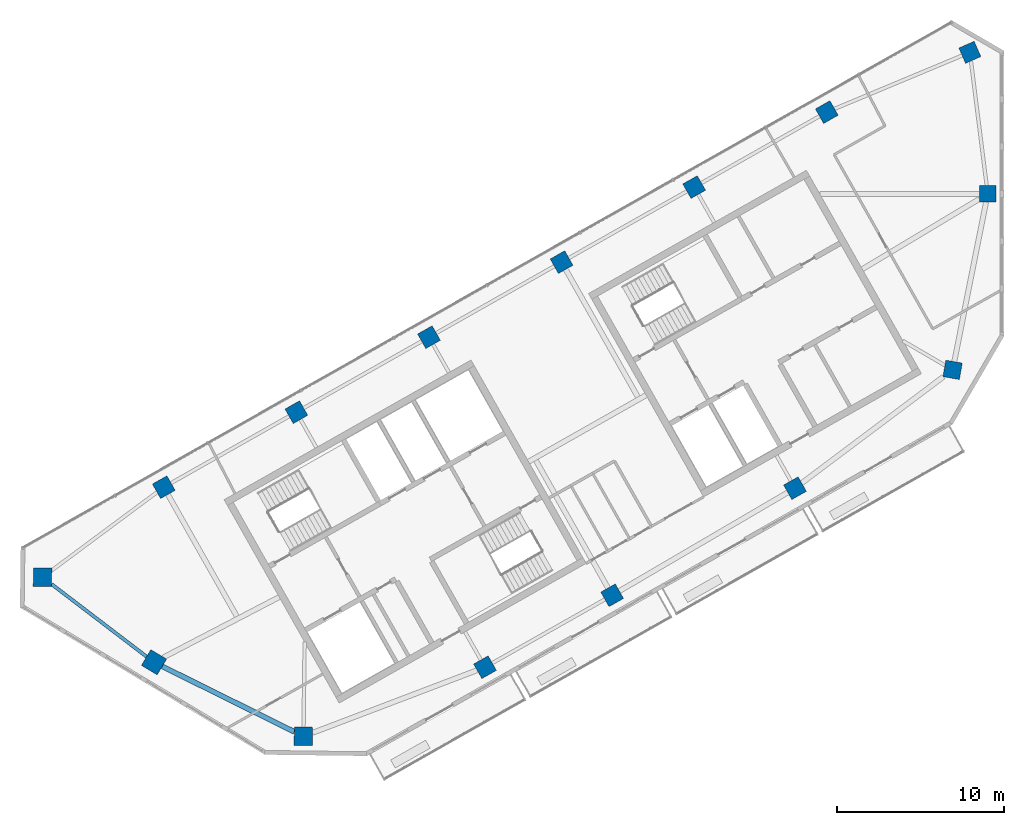
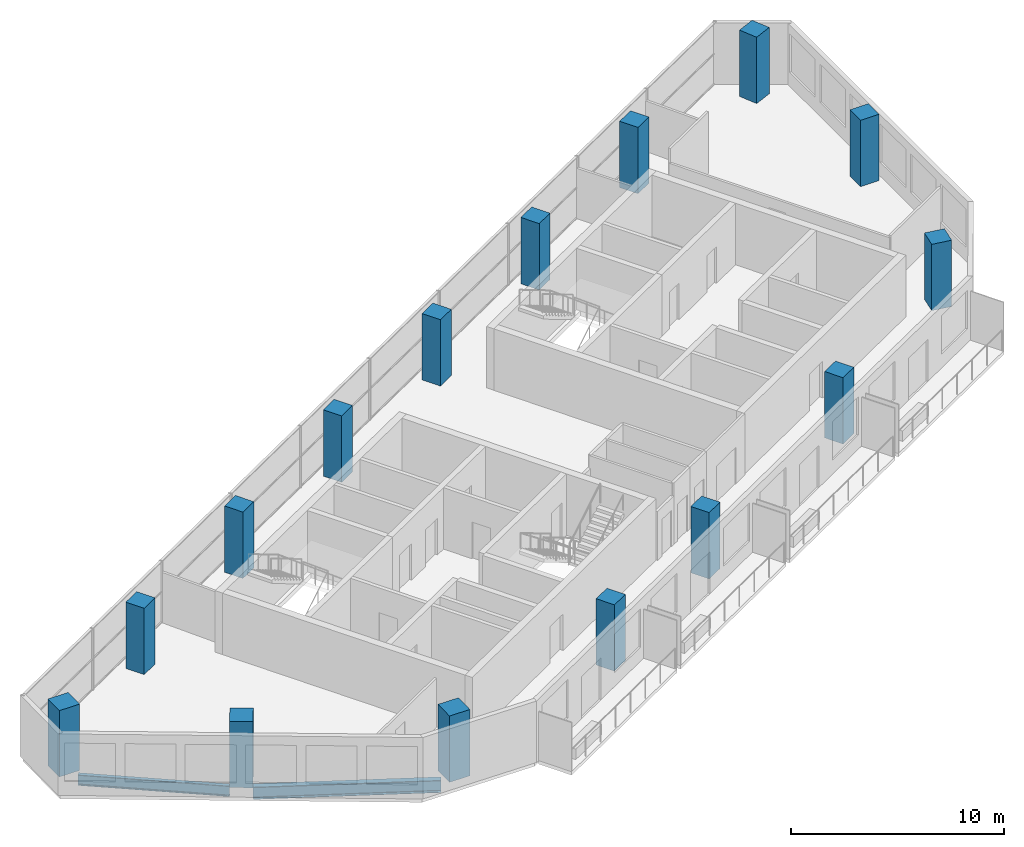
# One storey, part 1 of 10: 15 columns, 2 beams.
"""IFC4 building model written with IfcOpenShell, lengths in metres."""

from ifc_helpers import new_model, si_unit, direction, frame, origin, origin_2d, place, context, subcontext, project, spatial, rectangle, i_section, extrude, material, material_profile, profile_set, type_object, element, save


model = new_model("IFC4")

# Units and contexts
model_context = context("Model", 3, precision=1e-05, world=origin(), true_north=direction((0.0, 1.0)))
body_context = subcontext(model_context, "Body", "Model", "MODEL_VIEW")
ifc_project = project(units=[si_unit("LENGTHUNIT", "METRE"), si_unit("AREAUNIT", "SQUARE_METRE"), si_unit("VOLUMEUNIT", "CUBIC_METRE"), si_unit("PLANEANGLEUNIT", "RADIAN"), si_unit("MASSUNIT", "GRAM", prefix="KILO")], contexts=[model_context])

# Site, building, storey
site_placement = place(None, origin())
site = spatial("IfcSite", under=ifc_project, at=site_placement, CompositionType="ELEMENT")
building_placement = place(site_placement, origin())
building = spatial("IfcBuilding", under=site, at=building_placement, Name="Binnacle Exchange Tower", CompositionType="ELEMENT")
storey_placement = place(building_placement, frame((0.0, 0.0, 320.300048828125)))
storey = spatial("IfcBuildingStorey", under=building, at=storey_placement, Name="L72", CompositionType="ELEMENT", Elevation=320.300048828125)

# Columns
ifc_material_1 = material(Name="Concrete C50/60", Category="concrete")
ifc_material_profile_1 = material_profile(ifc_material_1, rectangle(XDim=1.0, YDim=1.0, at=origin_2d()), Name="Mega column 1000x1000 C50/60")
ifc_profile_set_1 = profile_set([ifc_material_profile_1], Name="Concrete C50/60")
column_type_1 = type_object("IfcColumnType", Name="Mega column 1000x1000 C50/60", PredefinedType="COLUMN", material=ifc_profile_set_1)
for number, where, z_axis, x_axis, name in (
    (1, (-10.4951171875, 64.901611328125, 0.0), (0.0, 0.0, 1.0), (-0.87035569594, -0.492423560103, 0.0), "S:COL:MC38:L72"),
    (2, (-18.44140625, 60.406005859375, 0.0), (0.0, 0.0, 1.0), (-0.87035569594, -0.492423560103, 0.0), "S:COL:MC29:L72"),
    (3, (-26.3876953125, 55.91015625, 0.0), (0.0, 0.0, 1.0), (-0.87035569594, -0.492423560103, 0.0), "S:COL:MC21:L72"),
    (4, (-34.333740234375, 51.414306640625, 0.0), (0.0, 0.0, 1.0), (-0.87035569594, -0.492423560103, 0.0), "S:COL:MC13:L72"),
    (5, (-42.280029296875, 46.918701171875, 0.0), (0.0, 0.0, 1.0), (-0.87035569594, -0.492423560103, 0.0), "S:COL:MC08:L72"),
    (6, (-50.226318359375, 42.4228515625, 0.0), (0.0, 0.0, 1.0), (-0.87035569594, -0.492423560103, 0.0), "S:COL:MC04:L72"),
    (7, (-30.9755859375, 31.63525390625, 0.0), (0.0, 0.0, 1.0), (0.87035569594, 0.492423560103, 0.0), "S:COL:MC07:L72"),
    (8, (-23.35595703125, 35.9462890625, 0.0), (0.0, 0.0, 1.0), (0.87035569594, 0.492423560103, 0.0), "S:COL:MC16:L72"),
    (9, (-2.955322265625, 49.45556640625, 0.0), (0.0, 0.0, 1.0), (-0.98522612636, 0.171258517854, 0.0), "S:COL:MC43:L72"),
    (10, (-0.85009765625, 60.0, 0.0), (0.0, 0.0, 1.0), (0.0, 1.0, 0.0), "S:COL:MC45:L72"),
    (11, (-1.920166015625, 68.4833984375, 0.0), (0.0, 0.0, 1.0), (-0.91471298536, -0.40410413808, 0.0), "S:COL:MC44:L72"),
    (12, (-12.39990234375, 42.36328125, 0.0), (0.0, 0.0, 1.0), (0.87035569594, 0.492423560103, 0.0), "S:COL:MC30:L72"),
):
    element("IfcColumn", number, at=place(storey_placement, frame(where, z_axis=z_axis, x_axis=x_axis)), inside=storey, type_object=column_type_1, Name=name, PredefinedType="COLUMN", context=body_context, shape_type="SweptSolid", body=[
        extrude(rectangle(XDim=1.0, YDim=1.0, at=origin_2d()), origin(), (0.0, 0.0, 1.0), 3.800048828125),
    ])
ifc_material_profile_2 = material_profile(ifc_material_1, rectangle(XDim=1.10009765625, YDim=1.10009765625, at=origin_2d()), Name="Mega column 1100x1100 C50/60")
ifc_profile_set_2 = profile_set([ifc_material_profile_2], Name="Concrete C50/60")
column_type_2 = type_object("IfcColumnType", Name="Mega column 1100x1100 C50/60", PredefinedType="COLUMN", material=ifc_profile_set_2)
for number, where, z_axis, x_axis, name in (
    (13, (-57.492919921875, 37.02734375, 0.0), (0.0, 0.0, 1.0), (-0.013089595571, -0.999914327574, 0.0), "S:COL:MC02:L72"),
    (14, (-50.81201171875, 31.930908203125, 0.0), (0.0, 0.0, 1.0), (0.857167300702, -0.51503807491, 0.0), "S:COL:MC01:L72"),
    (15, (-41.857666015625, 27.494873046875, 0.0), (0.0, 0.0, 1.0), (0.999914327574, -0.013089595571, 0.0), "S:COL:MC03:L72"),
):
    element("IfcColumn", number, at=place(storey_placement, frame(where, z_axis=z_axis, x_axis=x_axis)), inside=storey, type_object=column_type_2, Name=name, PredefinedType="COLUMN", context=body_context, shape_type="SweptSolid", body=[
        extrude(rectangle(XDim=1.10009765625, YDim=1.10009765625, at=origin_2d()), origin(), (0.0, 0.0, 1.0), 3.800048828125),
    ])

# Beams
ifc_material_2 = material(Name="Steel S355 (SHN355)", Category="steel")
ifc_material_profile_3 = material_profile(ifc_material_2, i_section(OverallWidth=0.199951171875, OverallDepth=0.60009765625, WebThickness=0.010986328125, FlangeThickness=0.01708984375, FilletRadius=0.02197265625, at=origin_2d()), Name="H 600x200x11x17")
ifc_profile_set_3 = profile_set([ifc_material_profile_3], Name="Steel S355 (SHN355)")
beam_type_1 = type_object("IfcBeamType", Name="Edge girder H 600x200x11x17 Steel S355 (SHN355)", PredefinedType="SPANDREL", material=ifc_profile_set_3)
beam_1_placement = place(storey_placement, frame((-56.948486328125, 36.612060546875, -0.580078125), z_axis=(0.795078805768, -0.606506135681, 0.0), x_axis=(0.606506135681, 0.795078805768, 0.0)))
element("IfcBeam", 16, at=beam_1_placement, inside=storey, type_object=beam_type_1, Name="S:BM:edge:L72:004", PredefinedType="SPANDREL", context=body_context, shape_type="SweptSolid", body=[
    extrude(i_section(OverallWidth=0.199951171875, OverallDepth=0.60009765625, WebThickness=0.010986328125, FlangeThickness=0.01708984375, FilletRadius=0.02197265625, at=origin_2d()), origin(), (0.0, 0.0, 1.0), 7.164794921875),
])
ifc_material_profile_4 = material_profile(ifc_material_2, i_section(OverallWidth=0.300048828125, OverallDepth=0.699951171875, WebThickness=0.012939453125, FlangeThickness=0.02392578125, FilletRadius=0.028076171875, at=origin_2d()), Name="H 700x300x13x24")
ifc_profile_set_4 = profile_set([ifc_material_profile_4], Name="Steel S355 (SHN355)")
beam_type_2 = type_object("IfcBeamType", Name="Edge girder H 700x300x13x24 Steel S355 (SHN355)", PredefinedType="SPANDREL", material=ifc_profile_set_4)
beam_2_placement = place(storey_placement, frame((-50.3173828125, 31.685791015625, -0.630126953125), z_axis=(0.896057836822, -0.443937330115, 0.0), x_axis=(0.443937330115, 0.896057836822, 0.0)))
element("IfcBeam", 17, at=beam_2_placement, inside=storey, type_object=beam_type_2, Name="S:BM:edge:L72:006", PredefinedType="SPANDREL", context=body_context, shape_type="SweptSolid", body=[
    extrude(i_section(OverallWidth=0.300048828125, OverallDepth=0.699951171875, WebThickness=0.012939453125, FlangeThickness=0.02392578125, FilletRadius=0.028076171875, at=origin_2d()), origin(), (0.0, 0.0, 1.0), 8.8310546875),
])

save(model, "model.ifc")
